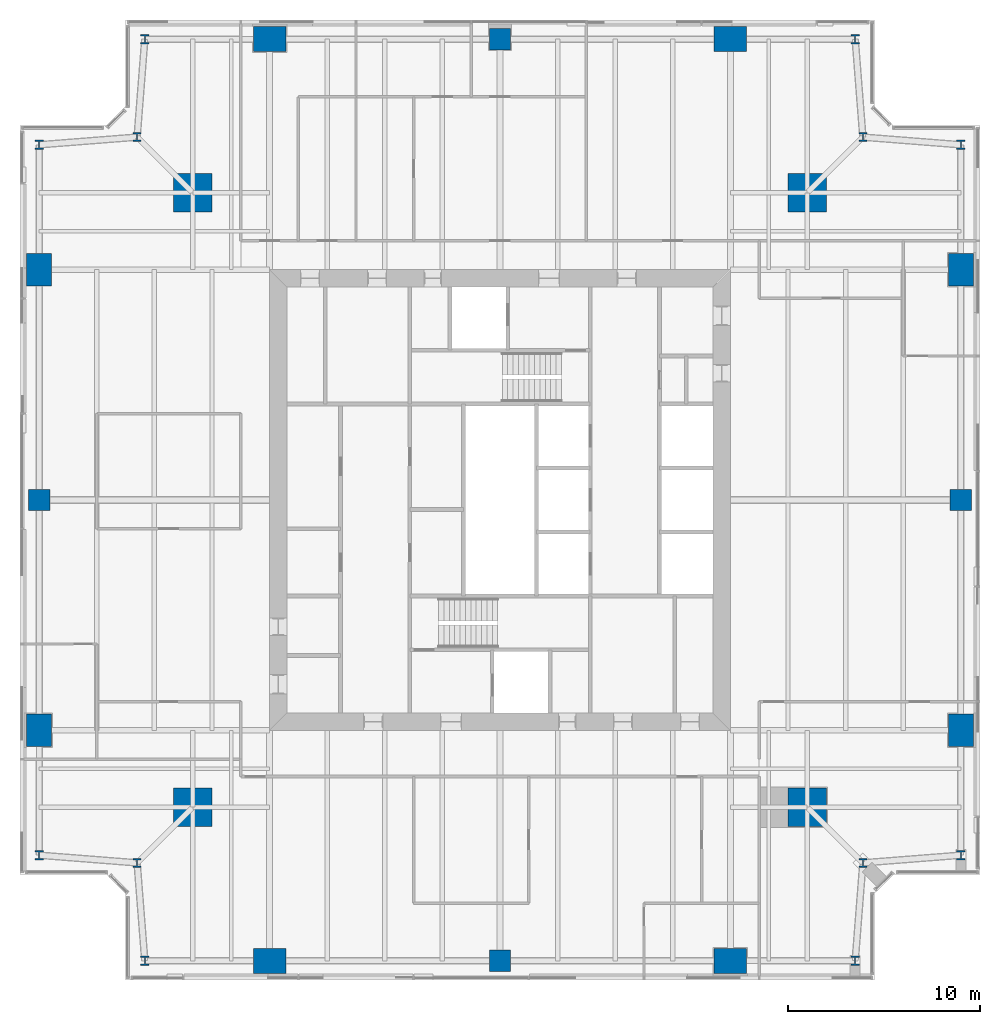
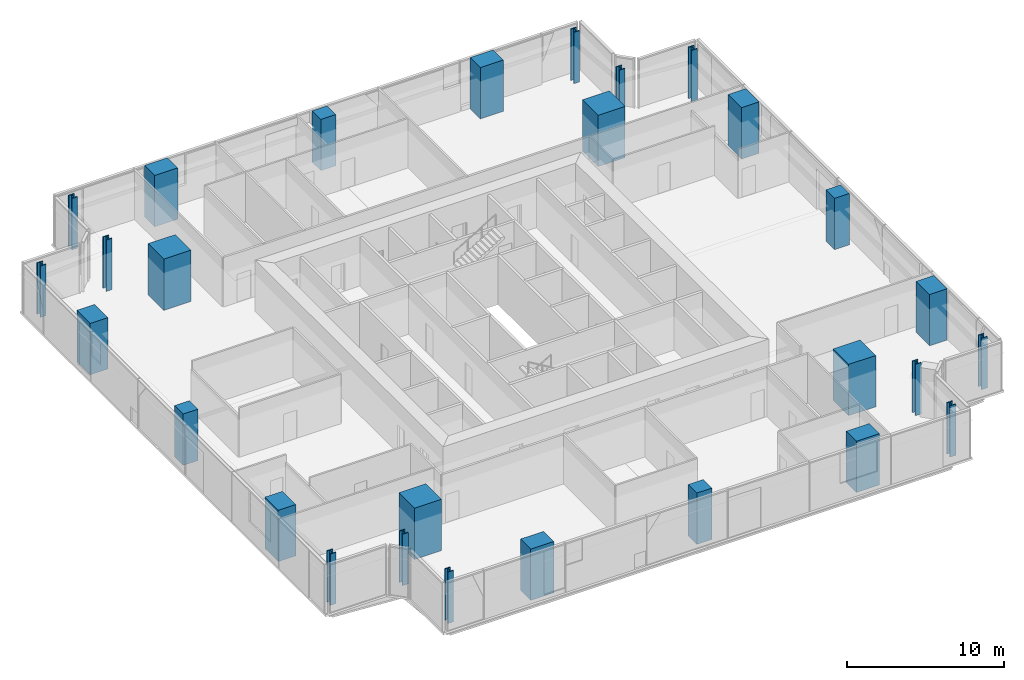
# One storey, part 1 of 14: 28 columns.
"""IFC4 building model written with IfcOpenShell, lengths in metres."""

from ifc_helpers import new_model, si_unit, direction, frame, origin, origin_2d, place, context, subcontext, project, spatial, rectangle, i_section, extrude, material, material_profile, profile_set, type_object, element, save


model = new_model("IFC4")

# Units and contexts
model_context = context("Model", 3, precision=1e-05, world=origin(), true_north=direction((0.0, 1.0)))
body_context = subcontext(model_context, "Body", "Model", "MODEL_VIEW")
ifc_project = project(units=[si_unit("LENGTHUNIT", "METRE"), si_unit("AREAUNIT", "SQUARE_METRE"), si_unit("VOLUMEUNIT", "CUBIC_METRE"), si_unit("PLANEANGLEUNIT", "RADIAN"), si_unit("MASSUNIT", "GRAM", prefix="KILO")], contexts=[model_context])

# Site, building, storey
site_placement = place(None, origin())
site = spatial("IfcSite", under=ifc_project, at=site_placement, CompositionType="ELEMENT")
building_placement = place(site_placement, origin())
building = spatial("IfcBuilding", under=site, at=building_placement, Name="Fenwick Lantern Interchange", CompositionType="ELEMENT")
storey_placement = place(building_placement, frame((0.0, 0.0, 205.800048828125)))
storey = spatial("IfcBuildingStorey", under=building, at=storey_placement, Name="L48", CompositionType="ELEMENT", Elevation=205.800048828125)

# Columns
ifc_material_1 = material(Name="Concrete f'c 70 MPa", Category="concrete")
ifc_material_profile_1 = material_profile(ifc_material_1, rectangle(XDim=2.0, YDim=2.0, at=origin_2d()), Name="RC2000X2000")
ifc_profile_set_1 = profile_set([ifc_material_profile_1], Name="Concrete f'c 70 MPa")
column_type_1 = type_object("IfcColumnType", Name="MEGA COLUMN RC2000X2000", PredefinedType="COLUMN", material=ifc_profile_set_1)
for number, where, z_axis, x_axis, name in (
    (1, (9.0, 9.0, 0.0), (0.0, 0.0, 1.0), (1.0, 0.0, 0.0), "L48/M1"),
    (2, (41.0, 9.0, 0.0), (0.0, 0.0, 1.0), (1.0, 0.0, 0.0), "L48/M2"),
    (3, (41.0, 41.0, 0.0), (0.0, 0.0, 1.0), (1.0, 0.0, 0.0), "L48/M3"),
    (4, (9.0, 41.0, 0.0), (0.0, 0.0, 1.0), (1.0, 0.0, 0.0), "L48/M4"),
):
    element("IfcColumn", number, at=place(storey_placement, frame(where, z_axis=z_axis, x_axis=x_axis)), inside=storey, type_object=column_type_1, Name=name, PredefinedType="COLUMN", context=body_context, shape_type="SweptSolid", body=[
        extrude(rectangle(XDim=2.0, YDim=2.0, at=origin_2d()), origin(), (0.0, 0.0, 1.0), 4.0),
    ])
ifc_material_profile_2 = material_profile(ifc_material_1, rectangle(XDim=1.10009765625, YDim=1.10009765625, at=origin_2d()), Name="RC1100X1100")
ifc_profile_set_2 = profile_set([ifc_material_profile_2], Name="Concrete f'c 70 MPa")
column_type_2 = type_object("IfcColumnType", Name="PERIMETER COLUMN RC1100X1100", PredefinedType="COLUMN", material=ifc_profile_set_2)
for number, where, z_axis, x_axis, name in (
    (5, (25.0, 1.0, 0.0), (0.0, 0.0, 1.0), (1.0, 0.0, 0.0), "L48/CS3"),
    (6, (49.0, 25.0, 0.0), (0.0, 0.0, 1.0), (1.0, 0.0, 0.0), "L48/CE3"),
    (7, (25.0, 49.0, 0.0), (0.0, 0.0, 1.0), (1.0, 0.0, 0.0), "L48/CN3"),
    (8, (1.0, 25.0, 0.0), (0.0, 0.0, 1.0), (1.0, 0.0, 0.0), "L48/CW3"),
):
    element("IfcColumn", number, at=place(storey_placement, frame(where, z_axis=z_axis, x_axis=x_axis)), inside=storey, type_object=column_type_2, Name=name, PredefinedType="COLUMN", context=body_context, shape_type="SweptSolid", body=[
        extrude(rectangle(XDim=1.10009765625, YDim=1.10009765625, at=origin_2d()), origin(), (0.0, 0.0, 1.0), 4.0),
    ])
ifc_material_profile_3 = material_profile(ifc_material_1, rectangle(XDim=1.300048828125, YDim=1.699951171875, at=origin_2d()), Name="RC1300X1700")
ifc_profile_set_3 = profile_set([ifc_material_profile_3], Name="Concrete f'c 70 MPa")
column_type_3 = type_object("IfcColumnType", Name="PERIMETER COLUMN RC1300X1700", PredefinedType="COLUMN", material=ifc_profile_set_3)
for number, where, z_axis, x_axis, name in (
    (9, (49.0, 13.0, 0.0), (0.0, 0.0, 1.0), (1.0, 0.0, 0.0), "L48/CE2"),
    (10, (49.0, 37.0, 0.0), (0.0, 0.0, 1.0), (1.0, 0.0, 0.0), "L48/CE4"),
    (11, (1.0, 37.0, 0.0), (0.0, 0.0, 1.0), (1.0, 0.0, 0.0), "L48/CW2"),
    (12, (1.0, 13.0, 0.0), (0.0, 0.0, 1.0), (1.0, 0.0, 0.0), "L48/CW4"),
):
    element("IfcColumn", number, at=place(storey_placement, frame(where, z_axis=z_axis, x_axis=x_axis)), inside=storey, type_object=column_type_3, Name=name, PredefinedType="COLUMN", context=body_context, shape_type="SweptSolid", body=[
        extrude(rectangle(XDim=1.300048828125, YDim=1.699951171875, at=origin_2d()), origin(), (0.0, 0.0, 1.0), 4.0),
    ])
ifc_material_profile_4 = material_profile(ifc_material_1, rectangle(XDim=1.699951171875, YDim=1.300048828125, at=origin_2d()), Name="RC1700X1300")
ifc_profile_set_4 = profile_set([ifc_material_profile_4], Name="Concrete f'c 70 MPa")
column_type_4 = type_object("IfcColumnType", Name="PERIMETER COLUMN RC1700X1300", PredefinedType="COLUMN", material=ifc_profile_set_4)
for number, where, z_axis, x_axis, name in (
    (13, (13.0, 1.0, 0.0), (0.0, 0.0, 1.0), (1.0, 0.0, 0.0), "L48/CS2"),
    (14, (37.0, 1.0, 0.0), (0.0, 0.0, 1.0), (1.0, 0.0, 0.0), "L48/CS4"),
    (15, (37.0, 49.0, 0.0), (0.0, 0.0, 1.0), (1.0, 0.0, 0.0), "L48/CN2"),
    (16, (13.0, 49.0, 0.0), (0.0, 0.0, 1.0), (1.0, 0.0, 0.0), "L48/CN4"),
):
    element("IfcColumn", number, at=place(storey_placement, frame(where, z_axis=z_axis, x_axis=x_axis)), inside=storey, type_object=column_type_4, Name=name, PredefinedType="COLUMN", context=body_context, shape_type="SweptSolid", body=[
        extrude(rectangle(XDim=1.699951171875, YDim=1.300048828125, at=origin_2d()), origin(), (0.0, 0.0, 1.0), 4.0),
    ])
ifc_material_2 = material(Name="Steel ASTM A992 Grade 50", Category="steel")
ifc_material_profile_5 = material_profile(ifc_material_2, i_section(OverallWidth=0.424072265625, OverallDepth=0.47509765625, WebThickness=0.0478515625, FlangeThickness=0.0771484375, at=origin_2d()), Name="W14X426")
ifc_profile_set_5 = profile_set([ifc_material_profile_5], Name="Steel ASTM A992 Grade 50")
column_type_5 = type_object("IfcColumnType", Name="PERIMETER COLUMN W14X426", PredefinedType="COLUMN", material=ifc_profile_set_5)
for number, where, z_axis, x_axis, name in (
    (17, (6.5, 1.0, 0.0), (0.0, 0.0, 1.0), (1.0, 0.0, 0.0), "L48/CS1"),
    (18, (43.5, 1.0, 0.0), (0.0, 0.0, 1.0), (1.0, 0.0, 0.0), "L48/CS5"),
    (19, (43.89990234375, 6.10009765625, 0.0), (0.0, 0.0, 1.0), (1.0, 0.0, 0.0), "L48/CSR"),
    (20, (49.0, 6.5, 0.0), (0.0, 0.0, 1.0), (1.0, 0.0, 0.0), "L48/CE1"),
    (21, (49.0, 43.5, 0.0), (0.0, 0.0, 1.0), (1.0, 0.0, 0.0), "L48/CE5"),
    (22, (43.89990234375, 43.89990234375, 0.0), (0.0, 0.0, 1.0), (1.0, 0.0, 0.0), "L48/CER"),
    (23, (43.5, 49.0, 0.0), (0.0, 0.0, 1.0), (1.0, 0.0, 0.0), "L48/CN1"),
    (24, (6.5, 49.0, 0.0), (0.0, 0.0, 1.0), (1.0, 0.0, 0.0), "L48/CN5"),
    (25, (6.10009765625, 43.89990234375, 0.0), (0.0, 0.0, 1.0), (1.0, 0.0, 0.0), "L48/CNR"),
    (26, (1.0, 43.5, 0.0), (0.0, 0.0, 1.0), (1.0, 0.0, 0.0), "L48/CW1"),
    (27, (1.0, 6.5, 0.0), (0.0, 0.0, 1.0), (1.0, 0.0, 0.0), "L48/CW5"),
    (28, (6.10009765625, 6.10009765625, 0.0), (0.0, 0.0, 1.0), (1.0, 0.0, 0.0), "L48/CWR"),
):
    element("IfcColumn", number, at=place(storey_placement, frame(where, z_axis=z_axis, x_axis=x_axis)), inside=storey, type_object=column_type_5, Name=name, PredefinedType="COLUMN", context=body_context, shape_type="SweptSolid", body=[
        extrude(i_section(OverallWidth=0.424072265625, OverallDepth=0.47509765625, WebThickness=0.0478515625, FlangeThickness=0.0771484375, at=origin_2d()), origin(), (0.0, 0.0, 1.0), 4.0),
    ])

save(model, "model.ifc")
